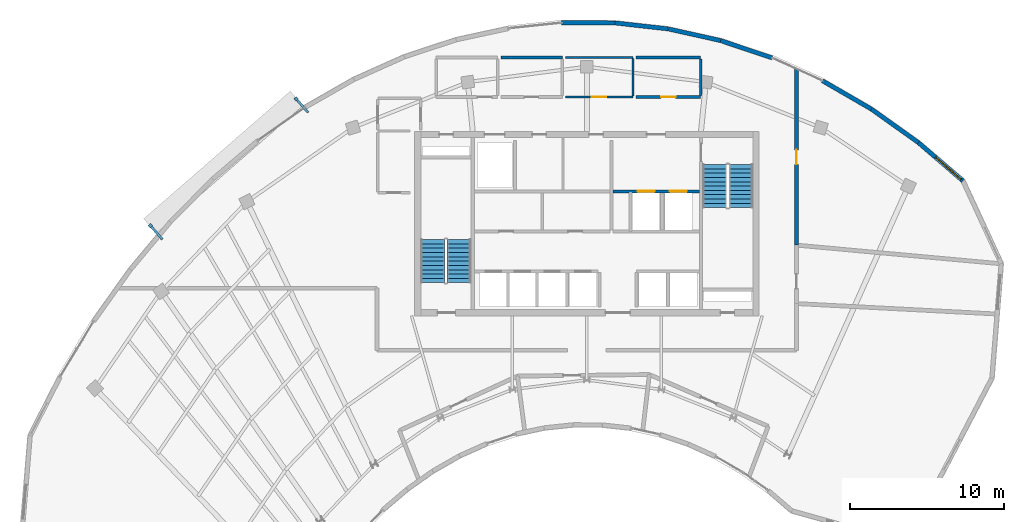
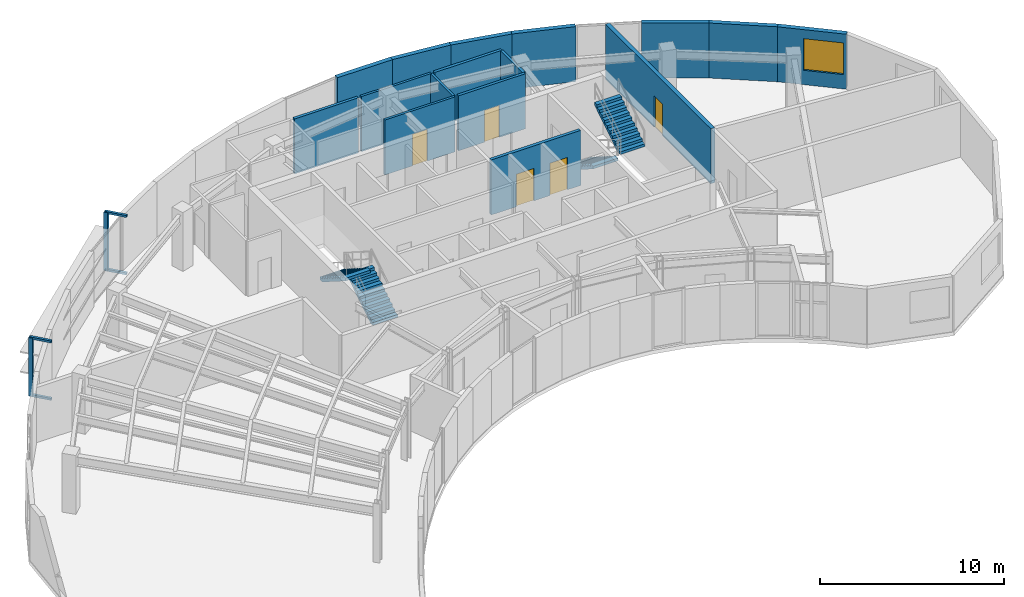
# One storey, part 11 of 12: 16 walls, 6 discrete accessories, 5 doors, 4 stair flights, 1 window, 6 openings, 2 elements without a shape of their own.
"""IFC4 building model written with IfcOpenShell, lengths in metres."""

from ifc_helpers import new_model, si_unit, direction, frame, frame_2d, origin, origin_2d, place, context, subcontext, project, spatial, polyline, rectangle, outline, extrude, source, transform, mapped, material, layer, layer_set, type_object, type_shapes, element, fill, aggregate, save


model = new_model("IFC4")

# Units and contexts
model_context = context("Model", 3, precision=1e-05, world=origin(), true_north=direction((0.0, 1.0)))
body_context = subcontext(model_context, "Body", "Model", "MODEL_VIEW")
ifc_project = project(units=[si_unit("LENGTHUNIT", "METRE"), si_unit("AREAUNIT", "SQUARE_METRE"), si_unit("VOLUMEUNIT", "CUBIC_METRE"), si_unit("PLANEANGLEUNIT", "RADIAN"), si_unit("MASSUNIT", "GRAM", prefix="KILO")], contexts=[model_context])

# Site, building, storey
site_placement = place(None, origin())
site = spatial("IfcSite", under=ifc_project, at=site_placement, CompositionType="ELEMENT")
building_placement = place(site_placement, origin())
building = spatial("IfcBuilding", under=site, at=building_placement, Name="Breltana Convention Tower", CompositionType="ELEMENT")
storey_placement = place(building_placement, frame((0.0, 0.0, 267.89990234375)))
storey = spatial("IfcBuildingStorey", under=building, at=storey_placement, Name="L65", CompositionType="ELEMENT", Elevation=267.89990234375)

# Walls
ifc_material_1 = material(Name="Limestone Buff Insulated Wall", Category="masonry")
ifc_layer_1 = layer(ifc_material_1, 0.280029296875, Name="Limestone Buff Insulated Wall")
ifc_layer_set_1 = layer_set([ifc_layer_1], Name="Limestone Buff Insulated Wall")
wall_type_1 = type_object("IfcWallType", Name="WL-EXT-NOSE-280", PredefinedType="SOLIDWALL", material=ifc_layer_set_1)
shared_shape_1 = source(origin(), body_context, "Body", "SweptSolid", [
    extrude(rectangle(XDim=3.4609375, YDim=0.280029296875, at=frame_2d((1.73046875, 0.0))), origin(), (0.0, 0.0, 1.0), 3.650146484375),
])
wall_1_placement = place(storey_placement, frame((46.362548828125, 79.263671875, 0.0), z_axis=(0.0, 0.0, 1.0), x_axis=(0.999995611073, -0.002962740947, 0.0)))
element("IfcWall", 1, at=wall_1_placement, inside=storey, type_object=wall_type_1, Name="L65 curved limestone nose wall E28", PredefinedType="SOLIDWALL", context=body_context, shape_type="MappedRepresentation", body=[
    mapped(shared_shape_1, transform((0.0, 0.0, 0.0), scale=1.0)),
])
shared_shape_2 = source(origin(), body_context, "Body", "SweptSolid", [
    extrude(rectangle(XDim=3.470947265625, YDim=0.280029296875, at=frame_2d((1.7353515625, 0.0))), origin(), (0.0, 0.0, 1.0), 3.650146484375),
])
wall_2_placement = place(storey_placement, frame((49.823486328125, 79.25341796875, 0.0), z_axis=(0.0, 0.0, 1.0), x_axis=(0.993797657488, -0.111203489029, 0.0)))
element("IfcWall", 2, at=wall_2_placement, inside=storey, type_object=wall_type_1, Name="L65 curved limestone nose wall E29", PredefinedType="SOLIDWALL", context=body_context, shape_type="MappedRepresentation", body=[
    mapped(shared_shape_2, transform((0.0, 0.0, 0.0), scale=1.0)),
])
shared_shape_3 = source(origin(), body_context, "Body", "SweptSolid", [
    extrude(rectangle(XDim=3.49853515625, YDim=0.280029296875, at=frame_2d((1.749267578125, 0.0))), origin(), (0.0, 0.0, 1.0), 3.650146484375),
])
wall_3_placement = place(storey_placement, frame((53.27294921875, 78.867431640625, 0.0), z_axis=(0.0, 0.0, 1.0), x_axis=(0.976149279518, -0.217100400957, 0.0)))
element("IfcWall", 3, at=wall_3_placement, inside=storey, type_object=wall_type_1, Name="L65 curved limestone nose wall E30", PredefinedType="SOLIDWALL", context=body_context, shape_type="MappedRepresentation", body=[
    mapped(shared_shape_3, transform((0.0, 0.0, 0.0), scale=1.0)),
])
shared_shape_4 = source(origin(), body_context, "Body", "SweptSolid", [
    extrude(rectangle(XDim=3.54296875, YDim=0.280029296875, at=frame_2d((1.771484375, 0.0))), origin(), (0.0, 0.0, 1.0), 3.650146484375),
])
wall_4_placement = place(storey_placement, frame((56.68798828125, 78.10791015625, 0.0), z_axis=(0.0, 0.0, 1.0), x_axis=(0.947922565312, -0.318500879389, 0.0)))
element("IfcWall", 4, at=wall_4_placement, inside=storey, type_object=wall_type_1, Name="L65 curved limestone nose wall E31", PredefinedType="SOLIDWALL", context=body_context, shape_type="MappedRepresentation", body=[
    mapped(shared_shape_4, transform((0.0, 0.0, 0.0), scale=1.0)),
])
shared_shape_5 = source(origin(), body_context, "Body", "SweptSolid", [
    extrude(rectangle(XDim=3.6748046875, YDim=0.280029296875, at=frame_2d((1.83740234375, 0.0))), origin(), (0.0, 0.0, 1.0), 3.650146484375),
])
wall_5_placement = place(storey_placement, frame((63.326416015625, 75.489501953125, 0.0), z_axis=(0.0, 0.0, 1.0), x_axis=(0.865333783584, -0.501196012542, 0.0)))
element("IfcWall", 5, at=wall_5_placement, inside=storey, type_object=wall_type_1, Name="L65 curved limestone nose wall E32", PredefinedType="SOLIDWALL", context=body_context, shape_type="MappedRepresentation", body=[
    mapped(shared_shape_5, transform((0.0, 0.0, 0.0), scale=1.0)),
])
shared_shape_6 = source(origin(), body_context, "Body", "SweptSolid", [
    extrude(rectangle(XDim=3.75732421875, YDim=0.280029296875, at=frame_2d((1.878662109375, 0.0))), origin(), (0.0, 0.0, 1.0), 3.650146484375),
])
wall_6_placement = place(storey_placement, frame((66.50634765625, 73.647705078125, 0.0), z_axis=(0.0, 0.0, 1.0), x_axis=(0.814163502266, -0.580635678871, 0.0)))
element("IfcWall", 6, at=wall_6_placement, inside=storey, type_object=wall_type_1, Name="L65 curved limestone nose wall E33", PredefinedType="SOLIDWALL", context=body_context, shape_type="MappedRepresentation", body=[
    mapped(shared_shape_6, transform((0.0, 0.0, 0.0), scale=1.0)),
])

# Wall, opening, window
shared_shape_7 = source(origin(), body_context, "Body", "SweptSolid", [
    extrude(rectangle(XDim=3.816162109375, YDim=0.280029296875, at=frame_2d((1.908203125, 0.0))), origin(), (0.0, 0.0, 1.0), 3.650146484375),
])
wall_7_placement = place(storey_placement, frame((69.5654296875, 71.466064453125, 0.0), z_axis=(0.0, 0.0, 1.0), x_axis=(0.758388845672, -0.651802392417, 0.0)))
wall_7 = element("IfcWall", 7, at=wall_7_placement, inside=storey, type_object=wall_type_1, Name="L65 curved limestone nose wall E34", PredefinedType="SOLIDWALL", context=body_context, shape_type="MappedRepresentation", body=[
    mapped(shared_shape_7, transform((0.0, 0.0, 0.0), scale=1.0)),
])
opening_1_placement = place(wall_7_placement, frame((1.455810546875, 0.0, 0.949951171875)))
opening_1 = element("IfcOpeningElement", 8, at=opening_1_placement, cuts=wall_7, Name="Opening W-03", PredefinedType="OPENING", context=body_context, shape_type="SweptSolid", body=[
    extrude(rectangle(XDim=2.199951171875, YDim=2.10009765625, at=frame_2d((1.10009765625, 1.050048828125))), frame((0.0, 0.14990234375, 0.0), z_axis=(0.0, -1.0, 0.0), x_axis=(1.0, 0.0, 0.0)), (0.0, 0.0, 1.0), 0.300048828125),
])
ifc_material_2 = material(Name="Glass Low-E Insulated Window", Category="glass")
window_type = type_object("IfcWindowType", Name="WN-NOSE-2200X2100", PartitioningType="TRIPLE_PANEL_VERTICAL", PredefinedType="WINDOW", material=ifc_material_2)
shared_shape_8 = source(origin(), body_context, "Body", "SweptSolid", [
    extrude(rectangle(XDim=2.199951171875, YDim=2.10009765625, at=frame_2d((1.10009765625, 1.050048828125))), frame((0.0, 0.030029296875, 0.0), z_axis=(0.0, -1.0, 0.0), x_axis=(1.0, 0.0, 0.0)), (0.0, 0.0, 1.0), 0.06005859375),
])
type_shapes(window_type, [shared_shape_8])
window_placement = place(opening_1_placement, origin())
window = element("IfcWindow", 9, at=window_placement, inside=storey, type_object=window_type, Name="L65 nose window E34", OverallHeight=2.10009765625, OverallWidth=2.199951171875, PartitioningType="TRIPLE_PANEL_VERTICAL", PredefinedType="WINDOW", context=body_context, shape_type="MappedRepresentation", body=[
    mapped(shared_shape_8, transform((0.0, 0.0, 0.0), scale=1.0)),
])
fill(opening_1, window)

# Wall, openings, doors
ifc_material_3 = material(Name="Autoclaved Aerated Concrete Block", Category="concrete")
ifc_layer_2 = layer(ifc_material_3, 0.199951171875, Name="Autoclaved Aerated Concrete Block")
ifc_layer_set_2 = layer_set([ifc_layer_2], Name="Autoclaved Aerated Concrete Block")
wall_type_2 = type_object("IfcWallType", Name="WL-SHAFT-200", PredefinedType="SOLIDWALL", material=ifc_layer_set_2)
shared_shape_9 = source(origin(), body_context, "Body", "SweptSolid", [
    extrude(rectangle(XDim=5.6201171875, YDim=0.199951171875, at=frame_2d((2.81005859375, 0.0))), origin(), (0.0, 0.0, 1.0), 3.650146484375),
])
wall_8_placement = place(storey_placement, frame((49.699951171875, 68.300048828125, 0.0), z_axis=(0.0, 0.0, 1.0), x_axis=(1.0, 0.0, 0.0)))
wall_8 = element("IfcWall", 10, at=wall_8_placement, inside=storey, type_object=wall_type_2, Name="L65 interior partition W-L65-FFL-S", PredefinedType="SOLIDWALL", context=body_context, shape_type="MappedRepresentation", body=[
    mapped(shared_shape_9, transform((0.0, 0.0, 0.0), scale=1.0)),
])
opening_2_placement = place(wall_8_placement, frame((1.60009765625, 0.0, 0.0)))
opening_2 = element("IfcOpeningElement", 11, at=opening_2_placement, cuts=wall_8, Name="Opening LD-03", PredefinedType="OPENING", context=body_context, shape_type="SweptSolid", body=[
    extrude(rectangle(XDim=1.10009765625, YDim=2.14990234375, at=frame_2d((0.550048828125, 1.074951171875))), frame((0.0, 0.10986328125, 0.0), z_axis=(0.0, -1.0, 0.0), x_axis=(1.0, 0.0, 0.0)), (0.0, 0.0, 1.0), 0.219970703125),
])
opening_3_placement = place(wall_8_placement, frame((3.699951171875, 0.0, 0.0)))
opening_3 = element("IfcOpeningElement", 12, at=opening_3_placement, cuts=wall_8, Name="Opening LD-03", PredefinedType="OPENING", context=body_context, shape_type="SweptSolid", body=[
    extrude(rectangle(XDim=1.10009765625, YDim=2.14990234375, at=frame_2d((0.550048828125, 1.074951171875))), frame((0.0, 0.10986328125, 0.0), z_axis=(0.0, -1.0, 0.0), x_axis=(1.0, 0.0, 0.0)), (0.0, 0.0, 1.0), 0.219970703125),
])
ifc_material_4 = material(Name="Stainless Steel Brushed", Category="steel")
door_type_1 = type_object("IfcDoorType", Name="DR-LD-FF-1100", OperationType="DOUBLE_DOOR_SLIDING", PredefinedType="DOOR", material=ifc_material_4)
shared_shape_10 = source(origin(), body_context, "Body", "SweptSolid", [
    extrude(rectangle(XDim=1.10009765625, YDim=2.14990234375, at=frame_2d((0.550048828125, 1.074951171875))), frame((0.0, 0.02490234375, 0.0), z_axis=(0.0, -1.0, 0.0), x_axis=(1.0, 0.0, 0.0)), (0.0, 0.0, 1.0), 0.050048828125),
])
type_shapes(door_type_1, [shared_shape_10])
door_1_placement = place(opening_2_placement, origin())
door_1 = element("IfcDoor", 13, at=door_1_placement, inside=storey, type_object=door_type_1, Name="L65 Lift Landing Door D-L65-LD-FL1", OperationType="DOUBLE_DOOR_SLIDING", OverallHeight=2.14990234375, OverallWidth=1.10009765625, PredefinedType="DOOR", context=body_context, shape_type="MappedRepresentation", body=[
    mapped(shared_shape_10, transform((0.0, 0.0, 0.0), scale=1.0)),
])
fill(opening_2, door_1)
door_2_placement = place(opening_3_placement, origin())
door_2 = element("IfcDoor", 14, at=door_2_placement, inside=storey, type_object=door_type_1, Name="L65 Lift Landing Door D-L65-LD-FL2", OperationType="DOUBLE_DOOR_SLIDING", OverallHeight=2.14990234375, OverallWidth=1.10009765625, PredefinedType="DOOR", context=body_context, shape_type="MappedRepresentation", body=[
    mapped(shared_shape_10, transform((0.0, 0.0, 0.0), scale=1.0)),
])
fill(opening_3, door_2)

# Walls
ifc_material_5 = material(Name="Moisture-Resistant Gypsum Chase Wall")
ifc_layer_3 = layer(ifc_material_5, 0.179931640625, Name="Moisture-Resistant Gypsum Chase Wall")
ifc_layer_set_3 = layer_set([ifc_layer_3], Name="Moisture-Resistant Gypsum Chase Wall")
wall_type_3 = type_object("IfcWallType", Name="WL-PLUMB-180", PredefinedType="PLUMBINGWALL", material=ifc_layer_set_3)
shared_shape_11 = source(origin(), body_context, "Body", "SweptSolid", [
    extrude(rectangle(XDim=4.0, YDim=0.179931640625, at=frame_2d((2.0, 0.0))), origin(), (0.0, 0.0, 1.0), 3.650146484375),
])
wall_9_placement = place(storey_placement, frame((42.39990234375, 77.0, 0.0), z_axis=(0.0, 0.0, 1.0), x_axis=(1.0, 0.0, 0.0)))
element("IfcWall", 15, at=wall_9_placement, inside=storey, type_object=wall_type_3, Name="L65 interior partition W-L65-WCF-N", PredefinedType="PLUMBINGWALL", context=body_context, shape_type="MappedRepresentation", body=[
    mapped(shared_shape_11, transform((0.0, 0.0, 0.0), scale=1.0)),
])
ifc_material_6 = material(Name="Cement Board Wet-Area Partition")
ifc_layer_4 = layer(ifc_material_6, 0.175048828125, Name="Cement Board Wet-Area Partition")
ifc_layer_set_4 = layer_set([ifc_layer_4], Name="Cement Board Wet-Area Partition")
wall_type_4 = type_object("IfcWallType", Name="WL-WET-175", PredefinedType="PARTITIONING", material=ifc_layer_set_4)
shared_shape_12 = source(origin(), body_context, "Body", "SweptSolid", [
    extrude(rectangle(XDim=2.402587890625, YDim=0.175048828125, at=frame_2d((1.201171875, 0.0))), origin(), (0.0, 0.0, 1.0), 3.650146484375),
])
wall_10_placement = place(storey_placement, frame((55.39990234375, 74.518798828125, 0.0), z_axis=(0.0, 0.0, 1.0), x_axis=(0.0, 1.0, 0.0)))
element("IfcWall", 16, at=wall_10_placement, inside=storey, type_object=wall_type_4, Name="L65 interior partition W-L65-WCA-E", PredefinedType="PARTITIONING", context=body_context, shape_type="MappedRepresentation", body=[
    mapped(shared_shape_12, transform((0.0, 0.0, 0.0), scale=1.0)),
])

# Wall, opening, door
ifc_material_7 = material(Name="Gypsum Acoustic Drywall Partition")
ifc_layer_5 = layer(ifc_material_7, 0.14990234375, Name="Gypsum Acoustic Drywall Partition")
ifc_layer_set_5 = layer_set([ifc_layer_5], Name="Gypsum Acoustic Drywall Partition")
wall_type_5 = type_object("IfcWallType", Name="WL-PART-150", PredefinedType="PARTITIONING", material=ifc_layer_set_5)
shared_shape_13 = source(origin(), body_context, "Body", "SweptSolid", [
    extrude(rectangle(XDim=4.39990234375, YDim=0.14990234375, at=frame_2d((2.199951171875, 0.0))), origin(), (0.0, 0.0, 1.0), 3.650146484375),
])
wall_11_placement = place(storey_placement, frame((46.60009765625, 74.43994140625, 0.0), z_axis=(0.0, 0.0, 1.0), x_axis=(1.0, 0.0, 0.0)))
wall_11 = element("IfcWall", 17, at=wall_11_placement, inside=storey, type_object=wall_type_5, Name="L65 interior partition W-L65-PNT-S", PredefinedType="PARTITIONING", context=body_context, shape_type="MappedRepresentation", body=[
    mapped(shared_shape_13, transform((0.0, 0.0, 0.0), scale=1.0)),
])
opening_4_placement = place(wall_11_placement, frame((1.72509765625, 0.0, 0.0)))
opening_4 = element("IfcOpeningElement", 18, at=opening_4_placement, cuts=wall_11, Name="Opening D-17", PredefinedType="OPENING", context=body_context, shape_type="SweptSolid", body=[
    extrude(rectangle(XDim=0.949951171875, YDim=2.10009765625, at=frame_2d((0.47509765625, 1.050048828125))), frame((0.0, 0.0849609375, 0.0), z_axis=(0.0, -1.0, 0.0), x_axis=(1.0, 0.0, 0.0)), (0.0, 0.0, 1.0), 0.169921875),
])
ifc_material_8 = material(Name="Timber Oak Veneer Door", Category="wood")
door_type_2 = type_object("IfcDoorType", Name="DR-INT-950", OperationType="NOTDEFINED", PredefinedType="DOOR", material=ifc_material_8)
shared_shape_14 = source(origin(), body_context, "Body", "SweptSolid", [
    extrude(rectangle(XDim=0.949951171875, YDim=2.10009765625, at=frame_2d((0.47509765625, 1.050048828125))), frame((0.0, 0.02490234375, 0.0), z_axis=(0.0, -1.0, 0.0), x_axis=(1.0, 0.0, 0.0)), (0.0, 0.0, 1.0), 0.050048828125),
])
type_shapes(door_type_2, [shared_shape_14])
door_3_placement = place(opening_4_placement, origin())
door_3 = element("IfcDoor", 19, at=door_3_placement, inside=storey, type_object=door_type_2, Name="L65 interior door D-L65-PNT", OperationType="SINGLE_SWING_LEFT", OverallHeight=2.10009765625, OverallWidth=0.949951171875, PredefinedType="DOOR", context=body_context, shape_type="MappedRepresentation", body=[
    mapped(shared_shape_14, transform((0.0, 0.0, 0.0), scale=1.0)),
])
fill(opening_4, door_3)

# Walls
wall_12_placement = place(storey_placement, frame((46.60009765625, 77.0, 0.0), z_axis=(0.0, 0.0, 1.0), x_axis=(1.0, 0.0, 0.0)))
element("IfcWall", 20, at=wall_12_placement, inside=storey, type_object=wall_type_5, Name="L65 interior partition W-L65-PNT-N", PredefinedType="PARTITIONING", context=body_context, shape_type="MappedRepresentation", body=[
    mapped(shared_shape_13, transform((0.0, 0.0, 0.0), scale=1.0)),
])
shared_shape_15 = source(origin(), body_context, "Body", "SweptSolid", [
    extrude(rectangle(XDim=2.425048828125, YDim=0.14990234375, at=frame_2d((1.21240234375, 0.0))), origin(), (0.0, 0.0, 1.0), 3.650146484375),
])
wall_13_placement = place(storey_placement, frame((51.0, 74.507568359375, 0.0), z_axis=(0.0, 0.0, 1.0), x_axis=(0.0, 1.0, 0.0)))
element("IfcWall", 21, at=wall_13_placement, inside=storey, type_object=wall_type_5, Name="L65 interior partition W-L65-PNT-E", PredefinedType="PARTITIONING", context=body_context, shape_type="MappedRepresentation", body=[
    mapped(shared_shape_15, transform((0.0, 0.0, 0.0), scale=1.0)),
])

# Wall, opening, door
shared_shape_16 = source(origin(), body_context, "Body", "SweptSolid", [
    extrude(rectangle(XDim=4.199951171875, YDim=0.175048828125, at=frame_2d((2.10009765625, 0.0))), origin(), (0.0, 0.0, 1.0), 3.650146484375),
])
wall_14_placement = place(storey_placement, frame((51.199951171875, 74.43994140625, 0.0), z_axis=(0.0, 0.0, 1.0), x_axis=(1.0, 0.0, 0.0)))
wall_14 = element("IfcWall", 22, at=wall_14_placement, inside=storey, type_object=wall_type_4, Name="L65 interior partition W-L65-WCA-S", PredefinedType="PARTITIONING", context=body_context, shape_type="MappedRepresentation", body=[
    mapped(shared_shape_16, transform((0.0, 0.0, 0.0), scale=1.0)),
])
opening_5_placement = place(wall_14_placement, frame((1.625, 0.0, 0.0)))
opening_5 = element("IfcOpeningElement", 23, at=opening_5_placement, cuts=wall_14, Name="Opening D-16", PredefinedType="OPENING", context=body_context, shape_type="SweptSolid", body=[
    extrude(rectangle(XDim=0.949951171875, YDim=2.1201171875, at=frame_2d((0.47509765625, 1.06005859375))), frame((0.0, 0.09765625, 0.0), z_axis=(0.0, -1.0, 0.0), x_axis=(1.0, 0.0, 0.0)), (0.0, 0.0, 1.0), 0.195068359375),
])
ifc_material_9 = material(Name="Timber Laminate Accessible Door", Category="wood")
door_type_3 = type_object("IfcDoorType", Name="DR-ACC-950", OperationType="NOTDEFINED", PredefinedType="DOOR", material=ifc_material_9)
shared_shape_17 = source(origin(), body_context, "Body", "SweptSolid", [
    extrude(rectangle(XDim=0.949951171875, YDim=2.1201171875, at=frame_2d((0.47509765625, 1.06005859375))), frame((0.0, 0.02490234375, 0.0), z_axis=(0.0, -1.0, 0.0), x_axis=(1.0, 0.0, 0.0)), (0.0, 0.0, 1.0), 0.050048828125),
])
type_shapes(door_type_3, [shared_shape_17])
door_4_placement = place(opening_5_placement, origin())
door_4 = element("IfcDoor", 24, at=door_4_placement, inside=storey, type_object=door_type_3, Name="L65 interior door D-L65-WCA", OperationType="SINGLE_SWING_RIGHT", OverallHeight=2.1201171875, OverallWidth=0.949951171875, PredefinedType="DOOR", context=body_context, shape_type="MappedRepresentation", body=[
    mapped(shared_shape_17, transform((0.0, 0.0, 0.0), scale=1.0)),
])
fill(opening_5, door_4)

# Wall
shared_shape_18 = source(origin(), body_context, "Body", "SweptSolid", [
    extrude(rectangle(XDim=4.199951171875, YDim=0.179931640625, at=frame_2d((2.10009765625, 0.0))), origin(), (0.0, 0.0, 1.0), 3.650146484375),
])
wall_15_placement = place(storey_placement, frame((51.199951171875, 77.0, 0.0), z_axis=(0.0, 0.0, 1.0), x_axis=(1.0, 0.0, 0.0)))
element("IfcWall", 25, at=wall_15_placement, inside=storey, type_object=wall_type_3, Name="L65 interior partition W-L65-WCA-N", PredefinedType="PLUMBINGWALL", context=body_context, shape_type="MappedRepresentation", body=[
    mapped(shared_shape_18, transform((0.0, 0.0, 0.0), scale=1.0)),
])

# Wall, opening, door
ifc_material_10 = material(Name="Gypsum Acoustic Double Stud Wall")
ifc_layer_6 = layer(ifc_material_10, 0.25, Name="Gypsum Acoustic Double Stud Wall")
ifc_layer_set_6 = layer_set([ifc_layer_6], Name="Gypsum Acoustic Double Stud Wall")
wall_type_6 = type_object("IfcWallType", Name="WL-ACOUSTIC-250", PredefinedType="PARTITIONING", material=ifc_layer_set_6)
shared_shape_19 = source(origin(), body_context, "Body", "SweptSolid", [
    extrude(rectangle(XDim=11.444580078125, YDim=0.25, at=frame_2d((5.72216796875, 0.0))), origin(), (0.0, 0.0, 1.0), 3.650146484375),
])
wall_16_placement = place(storey_placement, frame((61.639892578125, 64.800048828125, 0.0), z_axis=(0.0, 0.0, 1.0), x_axis=(0.0, 1.0, 0.0)))
wall_16 = element("IfcWall", 26, at=wall_16_placement, inside=storey, type_object=wall_type_6, Name="L65 interior partition W-L65-EXE3-ENT", PredefinedType="PARTITIONING", context=body_context, shape_type="MappedRepresentation", body=[
    mapped(shared_shape_19, transform((0.0, 0.0, 0.0), scale=1.0)),
])
opening_6_placement = place(wall_16_placement, frame((5.247314453125, 0.0, 0.0)))
opening_6 = element("IfcOpeningElement", 27, at=opening_6_placement, cuts=wall_16, Name="Opening D-17", PredefinedType="OPENING", context=body_context, shape_type="SweptSolid", body=[
    extrude(rectangle(XDim=0.949951171875, YDim=2.10009765625, at=frame_2d((0.47509765625, 1.050048828125))), frame((0.0, 0.135009765625, 0.0), z_axis=(0.0, -1.0, 0.0), x_axis=(1.0, 0.0, 0.0)), (0.0, 0.0, 1.0), 0.27001953125),
])
door_5_placement = place(opening_6_placement, origin())
door_5 = element("IfcDoor", 28, at=door_5_placement, inside=storey, type_object=door_type_2, Name="L65 interior door D-L65-EXE3", OperationType="SINGLE_SWING_RIGHT", OverallHeight=2.10009765625, OverallWidth=0.949951171875, PredefinedType="DOOR", context=body_context, shape_type="MappedRepresentation", body=[
    mapped(shared_shape_14, transform((0.0, 0.0, 0.0), scale=1.0)),
])
fill(opening_6, door_5)

# Stair, stair flights
ifc_material_11 = material(Name="Concrete C40/50", Category="concrete")
stair_type = type_object("IfcStairType", Name="ST-DOG-1560-R177", PredefinedType="HALF_TURN_STAIR", material=ifc_material_11)
stair_1_placement = place(storey_placement, origin())
stair_1 = element("IfcStair", 29, at=stair_1_placement, inside=storey, type_object=stair_type, Name="L65 Protected Core Exit Stair ST-1", PredefinedType="HALF_TURN_STAIR")
stair_flight_type = type_object("IfcStairFlightType", Name="STF-DOG-1560-N11-R177", PredefinedType="STRAIGHT", material=ifc_material_11)
stair_flight_1_placement = place(storey_placement, frame((39.68994140625, 62.360107421875, 0.0), z_axis=(0.0, 0.0, 1.0), x_axis=(0.0, 1.0, 0.0)))
stair_flight_1 = element("IfcStairFlight", 30, at=stair_flight_1_placement, type_object=stair_flight_type, Name="ST-1 flight 1", NumberOfRisers=11, NumberOfTreads=10, PredefinedType="STRAIGHT", RiserHeight=0.177272727, TreadLength=0.28, context=body_context, shape_type="SweptSolid", body=[
    extrude(outline(polyline([(0.0, 0.0), (0.0, 0.17724609375), (0.280029296875, 0.17724609375), (0.280029296875, 0.3544921875), (0.56005859375, 0.3544921875), (0.56005859375, 0.53173828125), (0.840087890625, 0.53173828125), (0.840087890625, 0.708984375), (1.1201171875, 0.708984375), (1.1201171875, 0.886474609375), (1.39990234375, 0.886474609375), (1.39990234375, 1.063720703125), (1.679931640625, 1.063720703125), (1.679931640625, 1.240966796875), (1.9599609375, 1.240966796875), (1.9599609375, 1.418212890625), (2.239990234375, 1.418212890625), (2.239990234375, 1.595458984375), (2.52001953125, 1.595458984375), (2.52001953125, 1.772705078125), (2.800048828125, 1.772705078125), (2.800048828125, 1.949951171875), (2.800048828125, 1.59521484375), (0.2802734375, 0.0), (0.0, 0.0)])), frame((0.0, 0.780029296875, 0.0), z_axis=(0.0, -1.0, 0.0), x_axis=(1.0, 0.0, 0.0)), (0.0, 0.0, 1.0), 1.56005859375),
])
stair_flight_2_placement = place(storey_placement, frame((37.97998046875, 65.159912109375, 1.9501953125), z_axis=(0.0, 0.0, 1.0), x_axis=(0.0, -1.0, 0.0)))
stair_flight_2 = element("IfcStairFlight", 31, at=stair_flight_2_placement, type_object=stair_flight_type, Name="ST-1 flight 2", NumberOfRisers=11, NumberOfTreads=10, PredefinedType="STRAIGHT", RiserHeight=0.177272727, TreadLength=0.28, context=body_context, shape_type="SweptSolid", body=[
    extrude(outline(polyline([(0.0, 0.0), (0.0, 0.17724609375), (0.280029296875, 0.17724609375), (0.280029296875, 0.3544921875), (0.56005859375, 0.3544921875), (0.56005859375, 0.53173828125), (0.840087890625, 0.53173828125), (0.840087890625, 0.708984375), (1.1201171875, 0.708984375), (1.1201171875, 0.886474609375), (1.39990234375, 0.886474609375), (1.39990234375, 1.063720703125), (1.679931640625, 1.063720703125), (1.679931640625, 1.240966796875), (1.9599609375, 1.240966796875), (1.9599609375, 1.418212890625), (2.239990234375, 1.418212890625), (2.239990234375, 1.595458984375), (2.52001953125, 1.595458984375), (2.52001953125, 1.772705078125), (2.800048828125, 1.772705078125), (2.800048828125, 1.949951171875), (2.800048828125, 1.59521484375), (0.2802734375, 0.0), (0.0, 0.0)])), frame((0.0, 0.780029296875, 0.0), z_axis=(0.0, -1.0, 0.0), x_axis=(1.0, 0.0, 0.0)), (0.0, 0.0, 1.0), 1.56005859375),
])
aggregate(stair_1, [stair_flight_1, stair_flight_2])

stair_2_placement = place(storey_placement, origin())
stair_2 = element("IfcStair", 32, at=stair_2_placement, inside=storey, type_object=stair_type, Name="L65 Protected Core Exit Stair ST-2", PredefinedType="HALF_TURN_STAIR")
stair_flight_3_placement = place(storey_placement, frame((56.31005859375, 70.0400390625, 0.0), z_axis=(0.0, 0.0, 1.0), x_axis=(0.0, -1.0, 0.0)))
stair_flight_3 = element("IfcStairFlight", 33, at=stair_flight_3_placement, type_object=stair_flight_type, Name="ST-2 flight 1", NumberOfRisers=11, NumberOfTreads=10, PredefinedType="STRAIGHT", RiserHeight=0.177272727, TreadLength=0.28, context=body_context, shape_type="SweptSolid", body=[
    extrude(outline(polyline([(0.0, 0.0), (0.0, 0.17724609375), (0.280029296875, 0.17724609375), (0.280029296875, 0.3544921875), (0.56005859375, 0.3544921875), (0.56005859375, 0.53173828125), (0.840087890625, 0.53173828125), (0.840087890625, 0.708984375), (1.1201171875, 0.708984375), (1.1201171875, 0.886474609375), (1.39990234375, 0.886474609375), (1.39990234375, 1.063720703125), (1.679931640625, 1.063720703125), (1.679931640625, 1.240966796875), (1.9599609375, 1.240966796875), (1.9599609375, 1.418212890625), (2.239990234375, 1.418212890625), (2.239990234375, 1.595458984375), (2.52001953125, 1.595458984375), (2.52001953125, 1.772705078125), (2.800048828125, 1.772705078125), (2.800048828125, 1.949951171875), (2.800048828125, 1.59521484375), (0.2802734375, 0.0), (0.0, 0.0)])), frame((0.0, 0.780029296875, 0.0), z_axis=(0.0, -1.0, 0.0), x_axis=(1.0, 0.0, 0.0)), (0.0, 0.0, 1.0), 1.56005859375),
])
stair_flight_4_placement = place(storey_placement, frame((58.02001953125, 67.239990234375, 1.9501953125), z_axis=(0.0, 0.0, 1.0), x_axis=(0.0, 1.0, 0.0)))
stair_flight_4 = element("IfcStairFlight", 34, at=stair_flight_4_placement, type_object=stair_flight_type, Name="ST-2 flight 2", NumberOfRisers=11, NumberOfTreads=10, PredefinedType="STRAIGHT", RiserHeight=0.177272727, TreadLength=0.28, context=body_context, shape_type="SweptSolid", body=[
    extrude(outline(polyline([(0.0, 0.0), (0.0, 0.17724609375), (0.280029296875, 0.17724609375), (0.280029296875, 0.3544921875), (0.56005859375, 0.3544921875), (0.56005859375, 0.53173828125), (0.840087890625, 0.53173828125), (0.840087890625, 0.708984375), (1.1201171875, 0.708984375), (1.1201171875, 0.886474609375), (1.39990234375, 0.886474609375), (1.39990234375, 1.063720703125), (1.679931640625, 1.063720703125), (1.679931640625, 1.240966796875), (1.9599609375, 1.240966796875), (1.9599609375, 1.418212890625), (2.239990234375, 1.418212890625), (2.239990234375, 1.595458984375), (2.52001953125, 1.595458984375), (2.52001953125, 1.772705078125), (2.800048828125, 1.772705078125), (2.800048828125, 1.949951171875), (2.800048828125, 1.59521484375), (0.2802734375, 0.0), (0.0, 0.0)])), frame((0.0, 0.780029296875, 0.0), z_axis=(0.0, -1.0, 0.0), x_axis=(1.0, 0.0, 0.0)), (0.0, 0.0, 1.0), 1.56005859375),
])
aggregate(stair_2, [stair_flight_3, stair_flight_4])

# Discrete accessories
ifc_material_12 = material(Name="Steel S355", Category="steel")
discrete_accessory_type_1 = type_object("IfcDiscreteAccessoryType", Name="ACC-DSF-BRACKET-150", PredefinedType="BRACKET", material=ifc_material_12)
shared_shape_20 = source(origin(), body_context, "Body", "SweptSolid", [
    extrude(rectangle(XDim=1.239990234375, YDim=0.14990234375, at=origin_2d()), origin(), (0.0, 0.0, 1.0), 0.139892578125),
])
type_shapes(discrete_accessory_type_1, [shared_shape_20])
for number, where, z_axis, x_axis, name in (
    (35, (19.97998046875, 65.64794921875, -0.15966796875), (0.0, 0.0, 1.0), (-0.656454295279, 0.754365798675, 0.0), "L65 double-skin slab stand-off bracket 1.1B"),
    (36, (19.97998046875, 65.64794921875, 3.650390625), (0.0, 0.0, 1.0), (-0.656454295279, 0.754365798675, 0.0), "L65 double-skin slab stand-off bracket 1.1T"),
    (37, (29.459716796875, 73.897216796875, -0.15966796875), (0.0, 0.0, 1.0), (-0.656454295279, 0.754365798675, 0.0), "L65 double-skin slab stand-off bracket 1.2B"),
    (38, (29.459716796875, 73.897216796875, 3.650390625), (0.0, 0.0, 1.0), (-0.656454295279, 0.754365798675, 0.0), "L65 double-skin slab stand-off bracket 1.2T"),
):
    element("IfcDiscreteAccessory", number, at=place(storey_placement, frame(where, z_axis=z_axis, x_axis=x_axis)), inside=storey, type_object=discrete_accessory_type_1, Name=name, PredefinedType="BRACKET", context=body_context, shape_type="MappedRepresentation", body=[
        mapped(shared_shape_20, transform((0.0, 0.0, 0.0), scale=1.0)),
    ])
discrete_accessory_type_2 = type_object("IfcDiscreteAccessoryType", Name="ACC-DSF-CARRIER-150", PredefinedType="BRACKET", material=ifc_material_12)
shared_shape_21 = source(origin(), body_context, "Body", "SweptSolid", [
    extrude(rectangle(XDim=0.219970703125, YDim=0.219970703125, at=origin_2d()), origin(), (0.0, 0.0, 1.0), 3.8701171875),
])
for number, where, z_axis, x_axis, name in (
    (39, (19.6123046875, 66.0703125, -0.119873046875), (0.0, 0.0, 1.0), (-0.656454295279, 0.754365798675, 0.0), "L65 double-skin outer vertical carrier 1.1"),
    (40, (29.092041015625, 74.319580078125, -0.119873046875), (0.0, 0.0, 1.0), (-0.656454295279, 0.754365798675, 0.0), "L65 double-skin outer vertical carrier 1.2"),
):
    element("IfcDiscreteAccessory", number, at=place(storey_placement, frame(where, z_axis=z_axis, x_axis=x_axis)), inside=storey, type_object=discrete_accessory_type_2, Name=name, PredefinedType="BRACKET", context=body_context, shape_type="MappedRepresentation", body=[
        mapped(shared_shape_21, transform((0.0, 0.0, 0.0), scale=1.0)),
    ])

save(model, "model.ifc")
